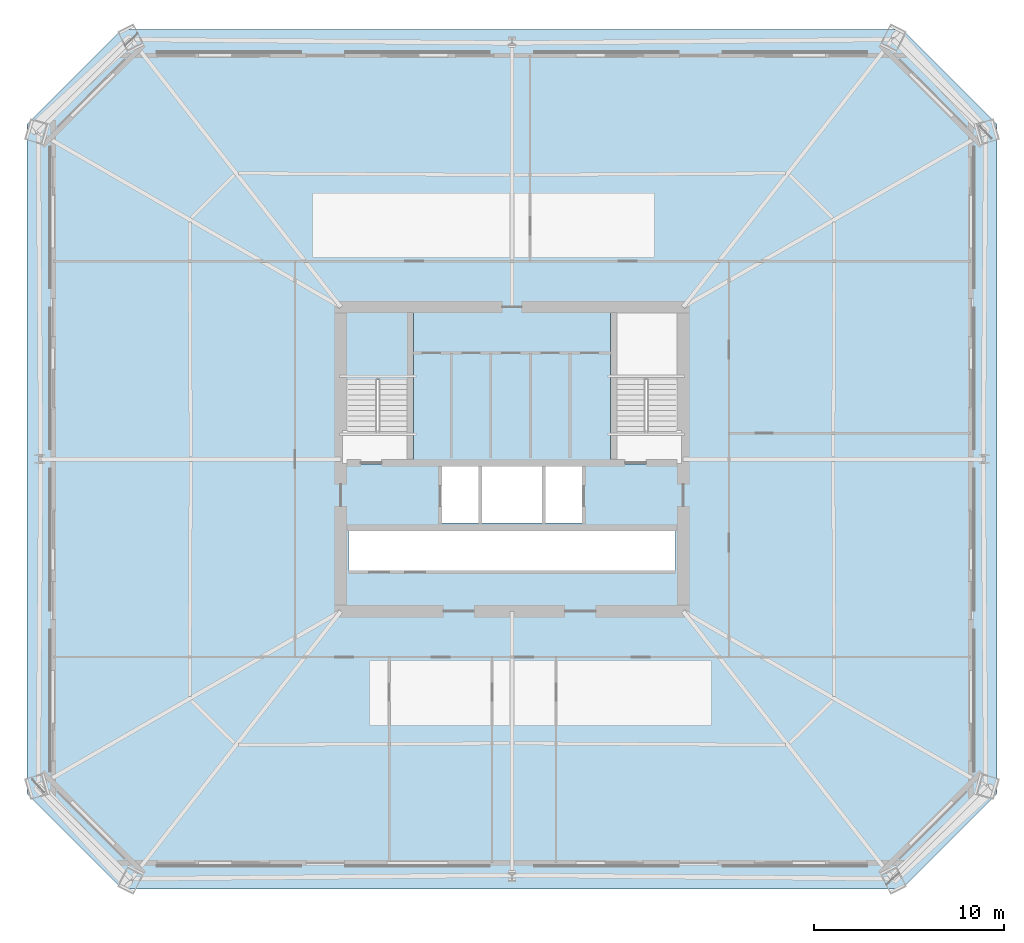
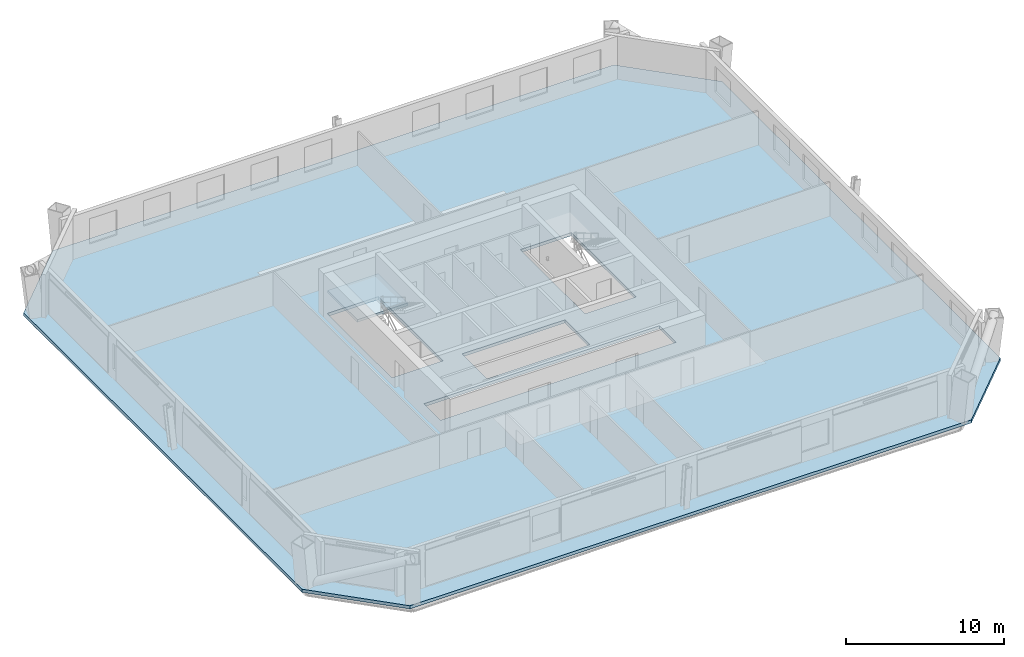
# One storey, part 3 of 10: 2 slabs, 1 element without a shape of its own.
"""IFC4 building model written with IfcOpenShell, lengths in metres."""

from ifc_helpers import new_model, si_unit, direction, frame, origin, place, context, subcontext, project, spatial, polyline, outline, extrude, material, layer, layer_set, type_object, element, aggregate, save


model = new_model("IFC4")

# Units and contexts
model_context = context("Model", 3, precision=1e-05, world=origin(), true_north=direction((0.0, 1.0)))
body_context = subcontext(model_context, "Body", "Model", "MODEL_VIEW")
ifc_project = project(units=[si_unit("LENGTHUNIT", "METRE"), si_unit("AREAUNIT", "SQUARE_METRE"), si_unit("VOLUMEUNIT", "CUBIC_METRE"), si_unit("PLANEANGLEUNIT", "RADIAN"), si_unit("MASSUNIT", "GRAM", prefix="KILO")], contexts=[model_context])

# Site, building, storey
site_placement = place(None, origin())
site = spatial("IfcSite", under=ifc_project, at=site_placement, CompositionType="ELEMENT")
building_placement = place(site_placement, origin())
building = spatial("IfcBuilding", under=site, at=building_placement, Name="Caelvoria Tower", CompositionType="ELEMENT")
storey_placement = place(building_placement, frame((0.0, 0.0, 56.800048828125)))
storey = spatial("IfcBuildingStorey", under=building, at=storey_placement, Name="L14", CompositionType="ELEMENT", Elevation=56.800048828125)

# Stair, slab
ifc_material = material(Name="Concrete C40/50", Category="concrete")
stair_type = type_object("IfcStairType", Name="Core Smokeproof Dogleg Stair Concrete C40/50", PredefinedType="HALF_TURN_STAIR", material=ifc_material)
stair_placement = place(storey_placement, origin())
stair = element("IfcStair", 1, at=stair_placement, inside=storey, type_object=stair_type, Name="ST-01 Smokeproof Exit Stair L14", PredefinedType="HALF_TURN_STAIR")
ifc_layer_1 = layer(ifc_material, 0.199951171875, Name="Concrete C40/50")
ifc_layer_set_1 = layer_set([ifc_layer_1], Name="Stair Half and Floor Landing Slab 200 Concrete C40/50 - Concrete C40/50")
slab_type_1 = type_object("IfcSlabType", Name="Stair Half and Floor Landing Slab 200 Concrete C40/50", PredefinedType="LANDING", material=ifc_layer_set_1)
slab_1_placement = place(storey_placement, frame((0.0, 0.0, 1.599853515625)))
slab_1 = element("IfcSlab", 2, at=slab_1_placement, type_object=slab_type_1, Name="ST-01 landing 2", PredefinedType="LANDING", context=body_context, shape_type="SweptSolid", body=[
    extrude(outline(polyline([(37.10009765625, 36.14990234375), (40.800048828125, 36.14990234375), (40.800048828125, 39.89990234375), (37.10009765625, 39.89990234375), (37.10009765625, 36.14990234375)])), origin(), (0.0, 0.0, 1.0), 0.2001953125),
])
aggregate(stair, [slab_1])

# Slab
ifc_layer_2 = layer(ifc_material, 0.239990234375, Name="Concrete C40/50")
ifc_layer_set_2 = layer_set([ifc_layer_2], Name="Tower Composite Office Slab 240 - Concrete C40/50")
slab_type_2 = type_object("IfcSlabType", Name="Tower Composite Office Slab 240", PredefinedType="FLOOR", material=ifc_layer_set_2)
slab_2_placement = place(storey_placement, frame((0.0, 0.0, -0.239990234375)))
element("IfcSlab", 3, at=slab_2_placement, inside=storey, type_object=slab_type_2, Name="Level L14 Structural Floor Slab", PredefinedType="FLOOR", context=body_context, shape_type="SweptSolid", body=[
    extrude(outline(polyline([(25.5, 9.39990234375), (66.5, 9.39990234375), (71.5, 14.39990234375), (71.5, 49.60009765625), (66.5, 54.60009765625), (25.5, 54.60009765625), (20.5, 49.60009765625), (20.5, 14.39990234375), (25.5, 9.39990234375)]), holes=[polyline([(37.080078125, 31.75), (40.820068359375, 31.75), (40.820068359375, 39.919921875), (37.080078125, 39.919921875), (37.080078125, 31.75)]), polyline([(51.179931640625, 31.75), (54.919921875, 31.75), (54.919921875, 39.919921875), (51.179931640625, 39.919921875), (51.179931640625, 31.75)]), polyline([(42.25, 28.64990234375), (49.75, 28.64990234375), (49.75, 31.800048828125), (42.25, 31.800048828125), (42.25, 28.64990234375)]), polyline([(37.39990234375, 26.14990234375), (54.60009765625, 26.14990234375), (54.60009765625, 28.25), (37.39990234375, 28.25), (37.39990234375, 26.14990234375)])]), origin(), (0.0, 0.0, 1.0), 0.239990234375),
])

save(model, "model.ifc")
